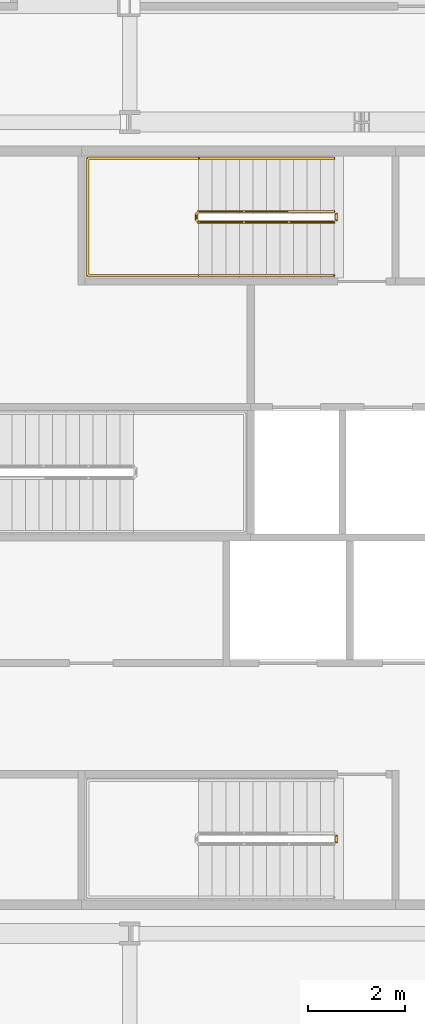
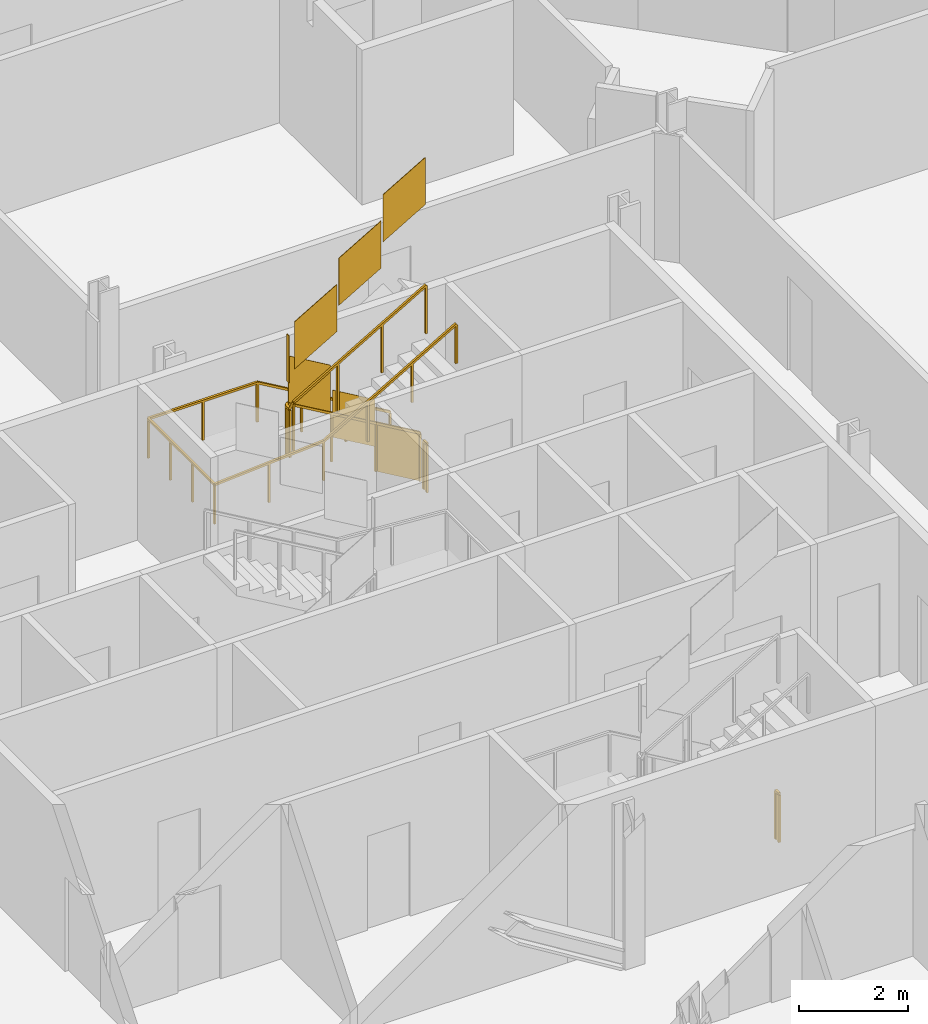
# One storey, part 19 of 21: 4 railings.
"""IFC4 building model written with IfcOpenShell, lengths in metres."""

import ifcopenshell
import ifcopenshell.guid

model = None  # the IFC model being written
_history = None  # IfcOwnerHistory: only IFC2X3 demands one
_inside = {}  # id of a spatial element -> (the spatial element, [elements in it])
_under = {}  # id of a project, library or spatial element -> (it, [spatial elements below it])
_declared = {}  # id of a project -> (the project, [libraries it declares])
_typed = {}  # id of a type object -> (the type object, [elements of that type])
_made_of = {}  # id of a material, layer set ... -> (it, [elements and type objects made of it])


def new_model(schema):
    """Start an empty IFC model of exactly this schema.

    Asked for "IFC4X3", IfcOpenShell would pick the latest addendum, in which some entities
    have other attributes; the version numbers below select the first issue.
    IFC2X3 requires an IfcOwnerHistory on every rooted entity: one is made here for all.
    """
    global model, _history
    if schema == "IFC4X3":
        model = ifcopenshell.file(schema_version=(4, 3, 0, 0))
    else:
        model = ifcopenshell.file(schema=schema)
    _inside.clear()
    _under.clear()
    _declared.clear()
    _typed.clear()
    _made_of.clear()
    _history = None
    if model.schema == "IFC2X3":
        org = make("IfcOrganization", Name="unknown")
        user = make(
            "IfcPersonAndOrganization",
            ThePerson=make("IfcPerson", FamilyName="unknown"),
            TheOrganization=org,
        )
        app = make(
            "IfcApplication",
            ApplicationDeveloper=org,
            Version="unknown",
            ApplicationFullName="unknown",
            ApplicationIdentifier="unknown",
        )
        _history = make(
            "IfcOwnerHistory",
            OwningUser=user,
            OwningApplication=app,
            ChangeAction="ADDED",
            CreationDate=0,
        )
    return model


def make(cls, **values):
    """One entity of the class cls with the attributes given. An attribute that is None is left unset."""
    return model.create_entity(
        cls, **{name: value for name, value in values.items() if value is not None}
    )


def rooted(cls, **values):
    """An entity with a GlobalId (a new one), such as an element, a storey or a relation."""
    return make(cls, GlobalId=ifcopenshell.guid.new(), OwnerHistory=_history, **values)


def si_unit(unit_type, name, prefix=None):
    """IfcSIUnit, for example si_unit("LENGTHUNIT", "METRE", prefix="MILLI")."""
    return make("IfcSIUnit", UnitType=unit_type, Prefix=prefix, Name=name)


def assignment(units):
    """IfcUnitAssignment: the units of a project."""
    return None if units is None else make("IfcUnitAssignment", Units=units)


def point(xyz):
    """IfcCartesianPoint."""
    return None if xyz is None else make("IfcCartesianPoint", Coordinates=xyz)


def direction(xyz):
    """IfcDirection."""
    return None if xyz is None else make("IfcDirection", DirectionRatios=xyz)


def frame(location, z_axis=None, x_axis=None):
    """IfcAxis2Placement3D, a coordinate frame: its origin and axes. An axis left out is left unset."""
    return make(
        "IfcAxis2Placement3D",
        Location=point(location),
        Axis=direction(z_axis),
        RefDirection=direction(x_axis),
    )


def frame_2d(location, x_axis=None):
    """IfcAxis2Placement2D, a coordinate frame in the plane: its origin and x axis."""
    return make(
        "IfcAxis2Placement2D", Location=point(location), RefDirection=direction(x_axis)
    )


def origin():
    """The frame at (0, 0, 0) with its axes left unset."""
    return frame((0.0, 0.0, 0.0))


def origin_2d():
    """The frame at (0, 0) in the plane with its x axis left unset."""
    return frame_2d((0.0, 0.0))


def place(relative_to, where):
    """IfcLocalPlacement: puts the frame where relative to a parent placement (None: the world)."""
    return make(
        "IfcLocalPlacement", PlacementRelTo=relative_to, RelativePlacement=where
    )


def context(
    kind, dimensions, precision=None, world=None, true_north=None, identifier=None
):
    """IfcGeometricRepresentationContext, for example the 3D "Model" context."""
    return make(
        "IfcGeometricRepresentationContext",
        ContextIdentifier=identifier,
        ContextType=kind,
        CoordinateSpaceDimension=dimensions,
        Precision=precision,
        WorldCoordinateSystem=world,
        TrueNorth=true_north,
    )


def subcontext(parent, identifier, kind, view, scale=None):
    """IfcGeometricRepresentationSubContext, for example "Body" below "Model"."""
    return make(
        "IfcGeometricRepresentationSubContext",
        ContextIdentifier=identifier,
        ContextType=kind,
        ParentContext=parent,
        TargetScale=scale,
        TargetView=view,
    )


def project(units=None, contexts=None):
    """IfcProject with its units and contexts."""
    return rooted(
        "IfcProject",
        Name="project",
        RepresentationContexts=contexts,
        UnitsInContext=assignment(units),
    )


def spatial(cls, under=None, at=None, **own):
    """A site, building, storey or space (cls), placed at a placement, below another one or the project."""
    s = rooted(cls, ObjectPlacement=at, **own)
    if under is not None:
        _under.setdefault(under.id(), (under, []))[1].append(s)
    return s


def polyline(points):
    """IfcPolyline through the points."""
    return make("IfcPolyline", Points=[point(p) for p in points])


def profile(cls, at=None, kind="AREA", **sizes):
    """A parametric profile (cls). Its sizes go by their IFC names, for example OverallWidth=200.0."""
    return make(cls, ProfileType=kind, Position=at, **sizes)


def rectangle(**sizes):
    """IfcRectangleProfileDef."""
    return profile("IfcRectangleProfileDef", **sizes)


def outline(outer, holes=None, kind="AREA"):
    """IfcArbitraryClosedProfileDef: a profile drawn as a closed curve; with holes, ...WithVoids."""
    if holes is None:
        return make("IfcArbitraryClosedProfileDef", ProfileType=kind, OuterCurve=outer)
    return make(
        "IfcArbitraryProfileDefWithVoids",
        ProfileType=kind,
        OuterCurve=outer,
        InnerCurves=holes,
    )


def extrude(swept, where, along, depth):
    """IfcExtrudedAreaSolid: the profile swept, set in the frame where, extruded along a direction by depth."""
    return make(
        "IfcExtrudedAreaSolid",
        SweptArea=swept,
        Position=where,
        ExtrudedDirection=direction(along),
        Depth=depth,
    )


def shape(context_of_items, identifier, shape_type, items):
    """IfcShapeRepresentation: the items that make up one representation, for example the "Body"."""
    return make(
        "IfcShapeRepresentation",
        ContextOfItems=context_of_items,
        RepresentationIdentifier=identifier,
        RepresentationType=shape_type,
        Items=items,
    )


def material(Name=None, Category=None):
    """IfcMaterial."""
    return make("IfcMaterial", Name=Name, Category=Category)


def made_of(thing, what):
    """Note that an element or type object is made of a material, layer set ...; save() writes the relation."""
    if what is not None:
        _made_of.setdefault(what.id(), (what, []))[1].append(thing)
    return thing


def type_object(cls, material=None, **own):
    """A type object (cls), such as IfcWallType, which elements share."""
    return made_of(rooted(cls, **own), material)


def element(
    cls,
    number,
    at=None,
    inside=None,
    cuts=None,
    type_object=None,
    material=None,
    context=None,
    identifier="Body",
    shape_type=None,
    held_by="IfcProductDefinitionShape",
    body=None,
    shapes=None,
    **own,
):
    """One element of the class cls, such as IfcWall. Its Tag is "e" and its number.

    at: its placement. inside: the storey or other place that contains it. cuts: it is an
    opening in that element (IfcRelVoidsElement). A single representation is given by context,
    identifier, shape_type and body (its items); several are given by shapes. held_by: the class
    of the entity that holds the representations. save() writes the other relations.
    """
    e = rooted(cls, Tag="e%d" % number, ObjectPlacement=at, **own)
    if body is not None:
        shapes = [shape(context, identifier, shape_type, body)]
    if shapes is not None:
        e.Representation = make(held_by, Representations=shapes)
    if inside is not None:
        _inside.setdefault(inside.id(), (inside, []))[1].append(e)
    if cuts is not None:
        rooted(
            "IfcRelVoidsElement", RelatingBuildingElement=cuts, RelatedOpeningElement=e
        )
    if type_object is not None:
        _typed.setdefault(type_object.id(), (type_object, []))[1].append(e)
    return made_of(e, material)


def aggregate(whole, parts):
    """IfcRelAggregates: a whole, such as a stair, and the parts it consists of."""
    return rooted("IfcRelAggregates", RelatingObject=whole, RelatedObjects=parts)


def save(model, path):
    """Write the relations noted so far, then the file.

    IfcRelAggregates (storeys below a building ...), IfcRelContainedInSpatialStructure (elements
    in a storey), IfcRelDefinesByType, IfcRelAssociatesMaterial and IfcRelDeclares: one each for
    every whole, place, type object, material and project.
    """
    for whole, parts in _under.values():
        aggregate(whole, parts)
    for where, things in _inside.values():
        rooted(
            "IfcRelContainedInSpatialStructure",
            RelatedElements=things,
            RelatingStructure=where,
        )
    for kind, things in _typed.values():
        rooted("IfcRelDefinesByType", RelatedObjects=things, RelatingType=kind)
    for what, things in _made_of.values():
        rooted("IfcRelAssociatesMaterial", RelatedObjects=things, RelatingMaterial=what)
    for by, libraries in _declared.values():
        rooted("IfcRelDeclares", RelatingContext=by, RelatedDefinitions=libraries)
    model.write(path)


model = new_model("IFC4")

# Units and contexts
model_context = context("Model", 3, precision=1e-05, world=origin(), true_north=direction((0.0, 1.0)))
body_context = subcontext(model_context, "Body", "Model", "MODEL_VIEW")
ifc_project = project(units=[si_unit("LENGTHUNIT", "METRE"), si_unit("AREAUNIT", "SQUARE_METRE"), si_unit("VOLUMEUNIT", "CUBIC_METRE"), si_unit("PLANEANGLEUNIT", "RADIAN"), si_unit("MASSUNIT", "GRAM", prefix="KILO")], contexts=[model_context])

# Site, building, storey
site_placement = place(None, origin())
site = spatial("IfcSite", under=ifc_project, at=site_placement, CompositionType="ELEMENT")
building_placement = place(site_placement, origin())
building = spatial("IfcBuilding", under=site, at=building_placement, Name="Cairn Pilgrim Tower", CompositionType="ELEMENT")
storey_placement = place(building_placement, frame((0.0, 0.0, 136.199951171875)))
storey = spatial("IfcBuildingStorey", under=building, at=storey_placement, Name="L33", CompositionType="ELEMENT", Elevation=136.199951171875)

# Railings
ifc_material = material(Name="Painted steel", Category="steel")
railing_type_1 = type_object("IfcRailingType", Name="STAIR GUARD 1100", PredefinedType="GUARDRAIL", material=ifc_material)
railing_1_placement = place(storey_placement, frame((11.47509765625, -3.97509765625, 0.0)))
element("IfcRailing", 1, at=railing_1_placement, inside=storey, type_object=railing_type_1, Name="L33 ST-A stair guard 2", PredefinedType="GUARDRAIL", context=body_context, shape_type="SweptSolid", body=[
    extrude(rectangle(XDim=0.048095703125, YDim=0.048095703125, at=origin_2d()), frame((0.0, 0.0, 1.076171875), z_axis=(0.0, -1.0, 0.0), x_axis=(1.0, 0.0, 0.0)), (0.0, 0.0, 1.0), 0.125),
    extrude(rectangle(XDim=0.0419921875, YDim=0.0419921875, at=origin_2d()), origin(), (0.0, 0.0, 1.0), 1.052001953125),
    extrude(rectangle(XDim=0.0419921875, YDim=0.0419921875, at=origin_2d()), frame((0.0, -0.125, 0.0)), (0.0, 0.0, 1.0), 1.052001953125),
    extrude(outline(polyline([(0.02099609375, 0.0), (0.10400390625, 0.0), (0.10400390625, 1.052001953125), (0.02099609375, 1.052001953125), (0.02099609375, 0.0)])), frame((0.005859375, 0.0, 0.0), z_axis=(-1.0, 0.0, 0.0), x_axis=(0.0, -1.0, 0.0)), (0.0, 0.0, 1.0), 0.011962890625),
])
railing_2_placement = place(storey_placement, frame((11.425048828125, 8.949951171875, 0.16357421875)))
element("IfcRailing", 2, at=railing_2_placement, inside=storey, type_object=railing_type_1, Name="L33 ST-C stair guard 1", PredefinedType="GUARDRAIL", context=body_context, shape_type="SweptSolid", body=[
    extrude(rectangle(XDim=0.048095703125, YDim=0.048095703125, at=origin_2d()), frame((0.0, 0.0, 1.076171875), z_axis=(-0.863360870873, 0.0, 0.504586966384), x_axis=(0.0, -1.0, 0.0)), (0.0, 0.0, 1.0), 3.2431640625),
    extrude(rectangle(XDim=0.048095703125, YDim=0.048095703125, at=origin_2d()), frame((-2.800048828125, 0.0, 2.71240234375), z_axis=(-0.707106781187, -0.707106781187, 0.0), x_axis=(0.707106781187, -0.707106781187, 0.0)), (0.0, 0.0, 1.0), 0.07080078125),
    extrude(rectangle(XDim=0.048095703125, YDim=0.048095703125, at=origin_2d()), frame((-2.85009765625, -0.050048828125, 2.71240234375), z_axis=(0.0, -1.0, 0.0), x_axis=(1.0, 0.0, 0.0)), (0.0, 0.0, 1.0), 0.125),
    extrude(rectangle(XDim=0.048095703125, YDim=0.048095703125, at=origin_2d()), frame((-2.85009765625, -0.175048828125, 2.71240234375), z_axis=(0.280916556609, -0.279546231943, 0.91811752648), x_axis=(0.705375805398, 0.708833529934, 0.0)), (0.0, 0.0, 1.0), 0.17822265625),
    extrude(rectangle(XDim=0.048095703125, YDim=0.048095703125, at=origin_2d()), frame((-2.800048828125, -0.224853515625, 2.8759765625), z_axis=(0.863360870873, 0.0, 0.504586966384), x_axis=(0.0, 1.0, 0.0)), (0.0, 0.0, 1.0), 3.2431640625),
    extrude(rectangle(XDim=0.0419921875, YDim=0.0419921875, at=origin_2d()), origin(), (0.0, 0.0, 1.0), 1.052001953125),
    extrude(rectangle(XDim=0.0419921875, YDim=0.0419921875, at=origin_2d()), frame((-0.933349609375, 0.0, 0.54541015625)), (0.0, 0.0, 1.0), 1.052001953125),
    extrude(rectangle(XDim=0.0419921875, YDim=0.0419921875, at=origin_2d()), frame((-1.86669921875, 0.0, 1.091064453125)), (0.0, 0.0, 1.0), 1.052001953125),
    extrude(rectangle(XDim=0.0419921875, YDim=0.0419921875, at=origin_2d()), frame((-2.800048828125, 0.0, 1.636474609375)), (0.0, 0.0, 1.0), 1.052001953125),
    extrude(rectangle(XDim=0.0419921875, YDim=0.0419921875, at=origin_2d()), frame((-2.85009765625, -0.050048828125, 1.636474609375)), (0.0, 0.0, 1.0), 1.052001953125),
    extrude(rectangle(XDim=0.0419921875, YDim=0.0419921875, at=origin_2d()), frame((-2.85009765625, -0.175048828125, 1.636474609375)), (0.0, 0.0, 1.0), 1.052001953125),
    extrude(rectangle(XDim=0.0419921875, YDim=0.0419921875, at=origin_2d()), frame((-2.800048828125, -0.224853515625, 1.800048828125)), (0.0, 0.0, 1.0), 1.052001953125),
    extrude(rectangle(XDim=0.0419921875, YDim=0.0419921875, at=origin_2d()), frame((-1.86669921875, -0.224853515625, 2.345458984375)), (0.0, 0.0, 1.0), 1.052001953125),
    extrude(rectangle(XDim=0.0419921875, YDim=0.0419921875, at=origin_2d()), frame((-0.933349609375, -0.224853515625, 2.89111328125)), (0.0, 0.0, 1.0), 1.052001953125),
    extrude(rectangle(XDim=0.0419921875, YDim=0.0419921875, at=origin_2d()), frame((0.0, -0.224853515625, 3.4365234375)), (0.0, 0.0, 1.0), 1.052001953125),
    extrude(outline(polyline([(0.02099609375, 0.01220703125), (0.912353515625, 0.533203125), (0.912353515625, 1.585205078125), (0.02099609375, 1.064208984375), (0.02099609375, 0.01220703125)])), frame((0.0, -0.005859375, 0.0), z_axis=(0.0, 1.0, 0.0), x_axis=(-1.0, 0.0, 0.0)), (0.0, 0.0, 1.0), 0.011962890625),
    extrude(outline(polyline([(0.02099609375, 0.557861328125), (0.912353515625, 1.07861328125), (0.912353515625, 2.130615234375), (0.02099609375, 1.60986328125), (0.02099609375, 0.557861328125)])), frame((-0.933349609375, -0.005859375, 0.54541015625), z_axis=(0.0, 1.0, 0.0), x_axis=(-1.0, 0.0, 0.0)), (0.0, 0.0, 1.0), 0.011962890625),
    extrude(outline(polyline([(0.02099609375, 1.103271484375), (0.912353515625, 1.624267578125), (0.912353515625, 2.67626953125), (0.02099609375, 2.1552734375), (0.02099609375, 1.103271484375)])), frame((-1.86669921875, -0.005859375, 1.091064453125), z_axis=(0.0, 1.0, 0.0), x_axis=(-1.0, 0.0, 0.0)), (0.0, 0.0, 1.0), 0.011962890625),
    extrude(outline(polyline([(0.02099609375, 1.636474609375), (0.10400390625, 1.636474609375), (0.10400390625, 2.6884765625), (0.02099609375, 2.6884765625), (0.02099609375, 1.636474609375)])), frame((-2.84423828125, -0.050048828125, 1.636474609375), z_axis=(-1.0, 0.0, 0.0), x_axis=(0.0, -1.0, 0.0)), (0.0, 0.0, 1.0), 0.011962890625),
    extrude(outline(polyline([(0.02099609375, 1.812255859375), (0.912353515625, 2.333251953125), (0.912353515625, 3.38525390625), (0.02099609375, 2.8642578125), (0.02099609375, 1.812255859375)])), frame((-2.800048828125, -0.21875, 1.800048828125), z_axis=(0.0, -1.0, 0.0), x_axis=(1.0, 0.0, 0.0)), (0.0, 0.0, 1.0), 0.011962890625),
    extrude(outline(polyline([(0.02099609375, 2.35791015625), (0.912353515625, 2.878662109375), (0.912353515625, 3.9306640625), (0.02099609375, 3.409912109375), (0.02099609375, 2.35791015625)])), frame((-1.86669921875, -0.21875, 2.345458984375), z_axis=(0.0, -1.0, 0.0), x_axis=(1.0, 0.0, 0.0)), (0.0, 0.0, 1.0), 0.011962890625),
    extrude(outline(polyline([(0.02099609375, 2.9033203125), (0.912353515625, 3.42431640625), (0.912353515625, 4.476318359375), (0.02099609375, 3.955322265625), (0.02099609375, 2.9033203125)])), frame((-0.933349609375, -0.21875, 2.89111328125), z_axis=(0.0, -1.0, 0.0), x_axis=(1.0, 0.0, 0.0)), (0.0, 0.0, 1.0), 0.011962890625),
])
railing_3_placement = place(storey_placement, frame((11.47509765625, 8.89990234375, 0.0)))
element("IfcRailing", 3, at=railing_3_placement, inside=storey, type_object=railing_type_1, Name="L33 ST-C stair guard 2", PredefinedType="GUARDRAIL", context=body_context, shape_type="SweptSolid", body=[
    extrude(rectangle(XDim=0.048095703125, YDim=0.048095703125, at=origin_2d()), frame((0.0, 0.0, 1.076171875), z_axis=(0.0, -1.0, 0.0), x_axis=(1.0, 0.0, 0.0)), (0.0, 0.0, 1.0), 0.125),
    extrude(rectangle(XDim=0.0419921875, YDim=0.0419921875, at=origin_2d()), origin(), (0.0, 0.0, 1.0), 1.052001953125),
    extrude(rectangle(XDim=0.0419921875, YDim=0.0419921875, at=origin_2d()), frame((0.0, -0.125, 0.0)), (0.0, 0.0, 1.0), 1.052001953125),
    extrude(outline(polyline([(0.02099609375, 0.0), (0.10400390625, 0.0), (0.10400390625, 1.052001953125), (0.02099609375, 1.052001953125), (0.02099609375, 0.0)])), frame((0.005859375, 0.0, 0.0), z_axis=(-1.0, 0.0, 0.0), x_axis=(0.0, -1.0, 0.0)), (0.0, 0.0, 1.0), 0.011962890625),
])
railing_type_2 = type_object("IfcRailingType", Name="STAIR HANDRAIL 900", PredefinedType="HANDRAIL", material=ifc_material)
railing_4_placement = place(storey_placement, frame((11.425048828125, 10.050048828125, 0.16357421875)))
element("IfcRailing", 4, at=railing_4_placement, inside=storey, type_object=railing_type_2, Name="L33 ST-C stair handrail 1", PredefinedType="HANDRAIL", context=body_context, shape_type="SweptSolid", body=[
    extrude(rectangle(XDim=0.048095703125, YDim=0.048095703125, at=origin_2d()), frame((0.0, 0.0, 0.8759765625), z_axis=(-0.863360870873, 0.0, 0.504586966384), x_axis=(0.0, -1.0, 0.0)), (0.0, 0.0, 1.0), 3.2431640625),
    extrude(rectangle(XDim=0.048095703125, YDim=0.048095703125, at=origin_2d()), frame((-2.800048828125, 0.0, 2.51220703125), z_axis=(-1.0, 0.0, 0.0), x_axis=(0.0, -1.0, 0.0)), (0.0, 0.0, 1.0), 2.300048828125),
    extrude(rectangle(XDim=0.048095703125, YDim=0.048095703125, at=origin_2d()), frame((-5.10009765625, 0.0, 2.51220703125), z_axis=(0.0, -1.0, 0.0), x_axis=(1.0, 0.0, 0.0)), (0.0, 0.0, 1.0), 2.425048828125),
    extrude(rectangle(XDim=0.048095703125, YDim=0.048095703125, at=origin_2d()), frame((-5.10009765625, -2.425048828125, 2.51220703125), z_axis=(0.997480687736, 0.0, 0.070938548008), x_axis=(0.0, 1.0, 0.0)), (0.0, 0.0, 1.0), 2.305908203125),
    extrude(rectangle(XDim=0.048095703125, YDim=0.048095703125, at=origin_2d()), frame((-2.800048828125, -2.425048828125, 2.67578125), z_axis=(0.863360870873, 0.0, 0.504586966384), x_axis=(0.0, 1.0, 0.0)), (0.0, 0.0, 1.0), 3.2431640625),
    extrude(rectangle(XDim=0.0419921875, YDim=0.0419921875, at=origin_2d()), origin(), (0.0, 0.0, 1.0), 0.851806640625),
    extrude(rectangle(XDim=0.0419921875, YDim=0.0419921875, at=origin_2d()), frame((-0.933349609375, 0.0, 0.54541015625)), (0.0, 0.0, 1.0), 0.851806640625),
    extrude(rectangle(XDim=0.0419921875, YDim=0.0419921875, at=origin_2d()), frame((-1.86669921875, 0.0, 1.091064453125)), (0.0, 0.0, 1.0), 0.851806640625),
    extrude(rectangle(XDim=0.0419921875, YDim=0.0419921875, at=origin_2d()), frame((-2.800048828125, 0.0, 1.636474609375)), (0.0, 0.0, 1.0), 0.851806640625),
    extrude(rectangle(XDim=0.0419921875, YDim=0.0419921875, at=origin_2d()), frame((-3.9501953125, 0.0, 1.636474609375)), (0.0, 0.0, 1.0), 0.851806640625),
    extrude(rectangle(XDim=0.0419921875, YDim=0.0419921875, at=origin_2d()), frame((-5.10009765625, 0.0, 1.636474609375)), (0.0, 0.0, 1.0), 0.851806640625),
    extrude(rectangle(XDim=0.0419921875, YDim=0.0419921875, at=origin_2d()), frame((-5.10009765625, -0.808349609375, 1.636474609375)), (0.0, 0.0, 1.0), 0.851806640625),
    extrude(rectangle(XDim=0.0419921875, YDim=0.0419921875, at=origin_2d()), frame((-5.10009765625, -1.61669921875, 1.636474609375)), (0.0, 0.0, 1.0), 0.851806640625),
    extrude(rectangle(XDim=0.0419921875, YDim=0.0419921875, at=origin_2d()), frame((-5.10009765625, -2.425048828125, 1.636474609375)), (0.0, 0.0, 1.0), 0.851806640625),
    extrude(rectangle(XDim=0.0419921875, YDim=0.0419921875, at=origin_2d()), frame((-3.9501953125, -2.425048828125, 1.71826171875)), (0.0, 0.0, 1.0), 0.851806640625),
    extrude(rectangle(XDim=0.0419921875, YDim=0.0419921875, at=origin_2d()), frame((-2.800048828125, -2.425048828125, 1.800048828125)), (0.0, 0.0, 1.0), 0.851806640625),
    extrude(rectangle(XDim=0.0419921875, YDim=0.0419921875, at=origin_2d()), frame((-1.86669921875, -2.425048828125, 2.345458984375)), (0.0, 0.0, 1.0), 0.851806640625),
    extrude(rectangle(XDim=0.0419921875, YDim=0.0419921875, at=origin_2d()), frame((-0.933349609375, -2.425048828125, 2.89111328125)), (0.0, 0.0, 1.0), 0.851806640625),
    extrude(rectangle(XDim=0.0419921875, YDim=0.0419921875, at=origin_2d()), frame((0.0, -2.425048828125, 3.4365234375)), (0.0, 0.0, 1.0), 0.851806640625),
])

save(model, "model.ifc")
